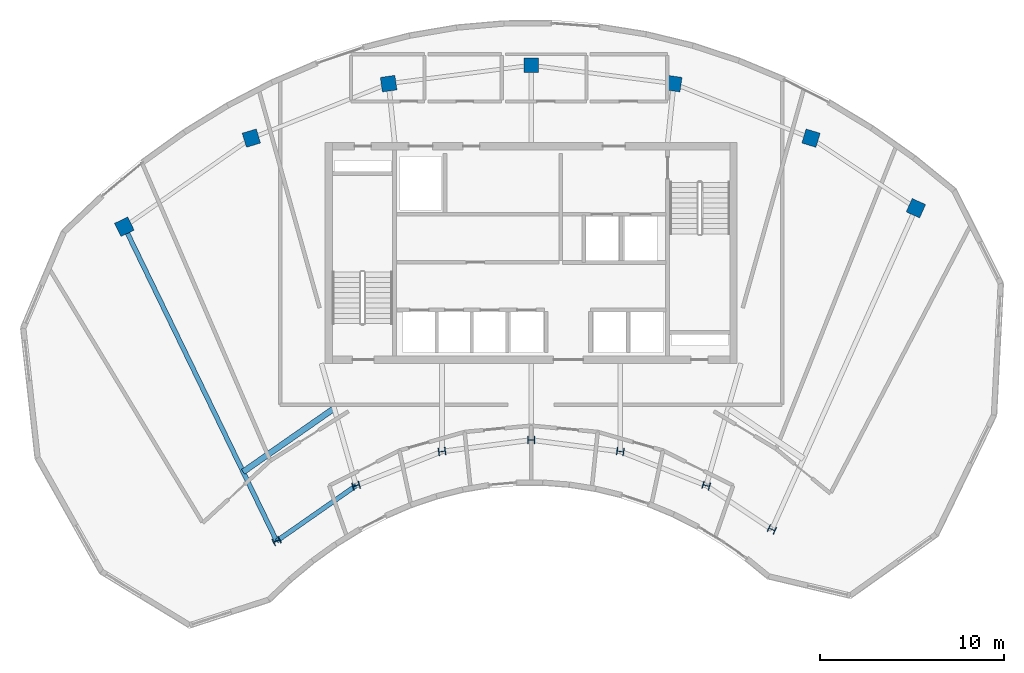
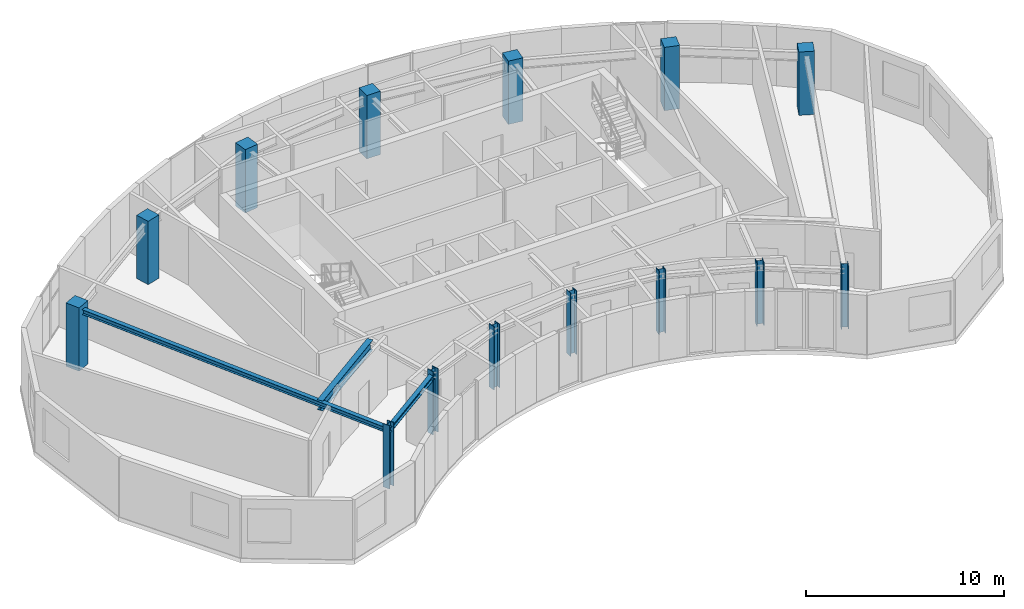
# One storey, part 1 of 9: 14 columns, 3 beams.
"""IFC4 building model written with IfcOpenShell, lengths in metres."""

from ifc_helpers import new_model, si_unit, direction, frame, origin, origin_2d, place, context, subcontext, project, spatial, rectangle, i_section, extrude, source, transform, mapped, material, material_profile, profile_set, type_object, element, save


model = new_model("IFC4")

# Units and contexts
model_context = context("Model", 3, precision=1e-05, world=origin(), true_north=direction((0.0, 1.0)))
body_context = subcontext(model_context, "Body", "Model", "MODEL_VIEW")
ifc_project = project(units=[si_unit("LENGTHUNIT", "METRE"), si_unit("AREAUNIT", "SQUARE_METRE"), si_unit("VOLUMEUNIT", "CUBIC_METRE"), si_unit("PLANEANGLEUNIT", "RADIAN"), si_unit("MASSUNIT", "GRAM", prefix="KILO")], contexts=[model_context])

# Site, building, storey
site_placement = place(None, origin())
site = spatial("IfcSite", under=ifc_project, at=site_placement, CompositionType="ELEMENT")
building_placement = place(site_placement, origin())
building = spatial("IfcBuilding", under=site, at=building_placement, Name="Breltana Convention Tower", CompositionType="ELEMENT")
storey_placement = place(building_placement, frame((0.0, 0.0, 287.39990234375)))
storey = spatial("IfcBuildingStorey", under=building, at=storey_placement, Name="L70", CompositionType="ELEMENT", Elevation=287.39990234375)

# Columns
ifc_material_1 = material(Name="Steel ASTM A992 Grade 50", Category="steel")
ifc_material_profile_1 = material_profile(ifc_material_1, i_section(OverallWidth=0.39892578125, OverallDepth=0.386962890625, WebThickness=0.02099609375, FlangeThickness=0.033203125, at=origin_2d()), Name="W14X176")
ifc_profile_set_1 = profile_set([ifc_material_profile_1], Name="Steel ASTM A992 Grade 50")
column_type_1 = type_object("IfcColumnType", Name="COL-STL-W14X176", PredefinedType="COLUMN", material=ifc_profile_set_1)
shared_shape_1 = source(origin(), body_context, "Body", "SweptSolid", [
    extrude(i_section(OverallWidth=0.39892578125, OverallDepth=0.386962890625, WebThickness=0.02099609375, FlangeThickness=0.033203125, at=origin_2d()), origin(), (0.0, 0.0, 1.0), 3.900146484375),
])
for number, where, z_axis, x_axis, name in (
    (1, (34.166259765625, 50.544921875, 0.0), (0.0, 0.0, 1.0), (-0.436173672171, 0.899862504889, 0.0), "L70 Tower Column R03-IN"),
    (2, (38.485107421875, 53.5576171875, 0.0), (0.0, 0.0, 1.0), (-0.288697611798, 0.957420330337, 0.0), "L70 Tower Column R04-IN"),
    (3, (43.153564453125, 55.41064453125, 0.0), (0.0, 0.0, 1.0), (-0.143492621991, 0.98965138682, 0.0), "L70 Tower Column R05-IN"),
    (4, (48.0, 56.035888671875, 0.0), (0.0, 0.0, 1.0), (0.0, 1.0, 0.0), "L70 Tower Column R06-IN"),
    (5, (52.846435546875, 55.41064453125, 0.0), (0.0, 0.0, 1.0), (0.143492621991, 0.98965138682, 0.0), "L70 Tower Column R07-IN"),
    (6, (57.514892578125, 53.5576171875, 0.0), (0.0, 0.0, 1.0), (0.288697611798, 0.957420330337, 0.0), "L70 Tower Column R08-IN"),
    (7, (61.08203125, 51.174560546875, 0.0), (0.0, 0.0, 1.0), (0.409126902895, 0.912477494148, 0.0), "L70 Tower Column R09-IN"),
):
    element("IfcColumn", number, at=place(storey_placement, frame(where, z_axis=z_axis, x_axis=x_axis)), inside=storey, type_object=column_type_1, Name=name, PredefinedType="COLUMN", context=body_context, shape_type="MappedRepresentation", body=[
        mapped(shared_shape_1, transform((0.0, 0.0, 0.0), scale=1.0)),
    ])
ifc_material_2 = material(Name="Concrete C50/60", Category="concrete")
ifc_material_profile_2 = material_profile(ifc_material_2, rectangle(XDim=0.800048828125, YDim=0.800048828125, at=origin_2d()), Name="RC-COL-800X800")
ifc_profile_set_2 = profile_set([ifc_material_profile_2], Name="Concrete C50/60")
column_type_2 = type_object("IfcColumnType", Name="COL-RC-800", PredefinedType="COLUMN", material=ifc_profile_set_2)
shared_shape_2 = source(origin(), body_context, "Body", "SweptSolid", [
    extrude(rectangle(XDim=0.800048828125, YDim=0.800048828125, at=origin_2d()), origin(), (0.0, 0.0, 1.0), 3.900146484375),
])
for number, where, z_axis, x_axis, name in (
    (8, (25.8876953125, 67.626953125, 0.0), (0.0, 0.0, 1.0), (-0.436173672171, 0.899862504889, 0.0), "L70 Tower Column R03-OUT"),
    (9, (32.791015625, 72.4423828125, 0.0), (0.0, 0.0, 1.0), (-0.288697611798, 0.957420330337, 0.0), "L70 Tower Column R04-OUT"),
    (10, (40.253173828125, 75.404296875, 0.0), (0.0, 0.0, 1.0), (-0.143492621991, 0.98965138682, 0.0), "L70 Tower Column R05-OUT"),
    (11, (48.0, 76.404052734375, 0.0), (0.0, 0.0, 1.0), (0.0, 1.0, 0.0), "L70 Tower Column R06-OUT"),
    (12, (55.746826171875, 75.404296875, 0.0), (0.0, 0.0, 1.0), (0.143492621991, 0.98965138682, 0.0), "L70 Tower Column R07-OUT"),
    (13, (63.208984375, 72.4423828125, 0.0), (0.0, 0.0, 1.0), (0.288697611798, 0.957420330337, 0.0), "L70 Tower Column R08-OUT"),
    (14, (68.910400390625, 68.63330078125, 0.0), (0.0, 0.0, 1.0), (0.409126902895, 0.912477494148, 0.0), "L70 Tower Column R09-OUT"),
):
    element("IfcColumn", number, at=place(storey_placement, frame(where, z_axis=z_axis, x_axis=x_axis)), inside=storey, type_object=column_type_2, Name=name, PredefinedType="COLUMN", context=body_context, shape_type="MappedRepresentation", body=[
        mapped(shared_shape_2, transform((0.0, 0.0, 0.0), scale=1.0)),
    ])

# Beams
ifc_material_profile_3 = material_profile(ifc_material_1, i_section(OverallWidth=0.323974609375, OverallDepth=0.611083984375, WebThickness=0.0126953125, FlangeThickness=0.01904296875, at=origin_2d()), Name="W24X104")
ifc_profile_set_3 = profile_set([ifc_material_profile_3], Name="Steel ASTM A992 Grade 50")
beam_type_1 = type_object("IfcBeamType", Name="BM-JSG-01", PredefinedType="JOIST", material=ifc_profile_set_3)
shared_shape_3 = source(origin(), body_context, "Body", "SweptSolid", [
    extrude(i_section(OverallWidth=0.323974609375, OverallDepth=0.611083984375, WebThickness=0.0126953125, FlangeThickness=0.01904296875, at=origin_2d()), origin(), (0.0, 0.0, 1.0), 5.959228515625),
])
beam_1_placement = place(storey_placement, frame((32.344970703125, 54.302978515625, 3.334716796875), z_axis=(0.820160485262, 0.572133531979, 0.0), x_axis=(-0.572133531979, 0.820160485262, 0.0)))
element("IfcBeam", 15, at=beam_1_placement, inside=storey, type_object=beam_type_1, Name="L70 Composite Floor Joist 03.1", PredefinedType="JOIST", context=body_context, shape_type="MappedRepresentation", body=[
    mapped(shared_shape_3, transform((0.0, 0.0, 0.0), scale=1.0)),
])
ifc_material_profile_4 = material_profile(ifc_material_1, i_section(OverallWidth=0.25390625, OverallDepth=0.305908203125, WebThickness=0.0087890625, FlangeThickness=0.0146484375, at=origin_2d()), Name="W12X53")
ifc_profile_set_4 = profile_set([ifc_material_profile_4], Name="Steel ASTM A992 Grade 50")
beam_type_2 = type_object("IfcBeamType", Name="BM-CN-W12X53", PredefinedType="BEAM", material=ifc_profile_set_4)
shared_shape_4 = source(origin(), body_context, "Body", "SweptSolid", [
    extrude(i_section(OverallWidth=0.25390625, OverallDepth=0.305908203125, WebThickness=0.0087890625, FlangeThickness=0.0146484375, at=origin_2d()), origin(), (0.0, 0.0, 1.0), 18.982421875),
])
beam_2_placement = place(storey_placement, frame((34.166259765625, 50.544921875, 3.487060546875), z_axis=(-0.436118560343, 0.89988921614, 0.0), x_axis=(-0.89988921614, -0.436118560343, 0.0)))
element("IfcBeam", 16, at=beam_2_placement, inside=storey, type_object=beam_type_2, Name="L70 Radial Floor Girder R03", PredefinedType="BEAM", context=body_context, shape_type="MappedRepresentation", body=[
    mapped(shared_shape_4, transform((0.0, 0.0, 0.0), scale=1.0)),
])
shared_shape_5 = source(origin(), body_context, "Body", "SweptSolid", [
    extrude(i_section(OverallWidth=0.25390625, OverallDepth=0.305908203125, WebThickness=0.0087890625, FlangeThickness=0.0146484375, at=origin_2d()), origin(), (0.0, 0.0, 1.0), 5.265869140625),
])
beam_3_placement = place(storey_placement, frame((34.166259765625, 50.544921875, 3.487060546875), z_axis=(0.820167429517, 0.572123577176, 0.0), x_axis=(-0.572123577176, 0.820167429517, 0.0)))
element("IfcBeam", 17, at=beam_3_placement, inside=storey, type_object=beam_type_2, Name="L70 Inner Ring Beam 03", PredefinedType="BEAM", context=body_context, shape_type="MappedRepresentation", body=[
    mapped(shared_shape_5, transform((0.0, 0.0, 0.0), scale=1.0)),
])

save(model, "model.ifc")
